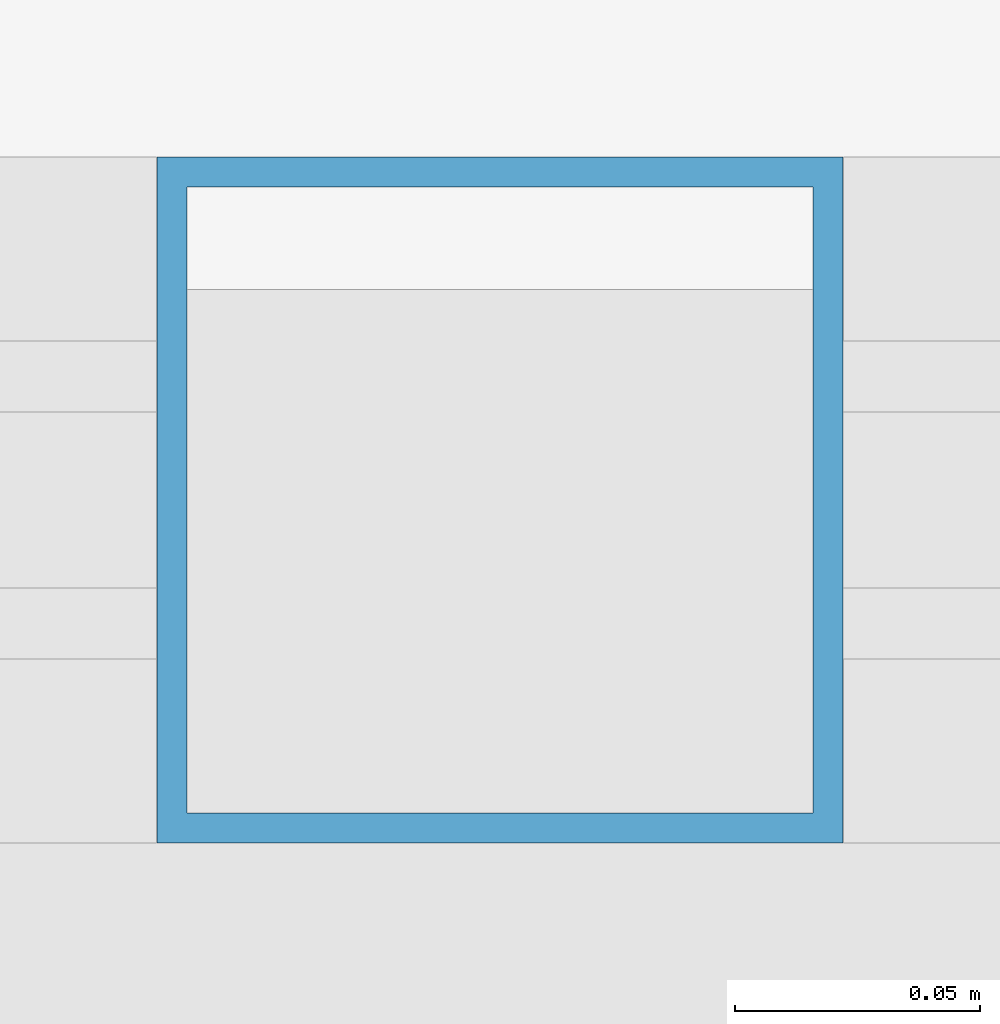
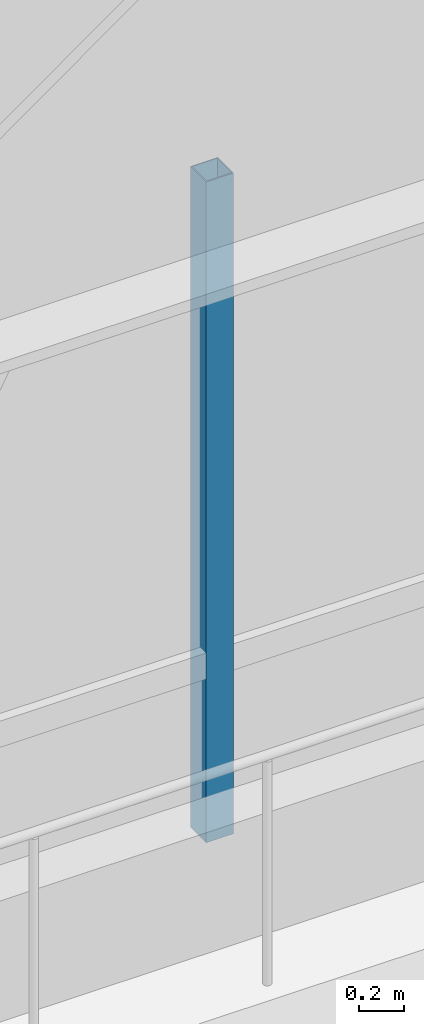
# One storey, part 6 of 28: 1 member, 1 element without a shape of its own.
"""IFC4 building model written with IfcOpenShell, lengths in metres."""

import ifcopenshell
import ifcopenshell.guid

model = None  # the IFC model being written
_history = None  # IfcOwnerHistory: only IFC2X3 demands one
_inside = {}  # id of a spatial element -> (the spatial element, [elements in it])
_under = {}  # id of a project, library or spatial element -> (it, [spatial elements below it])
_declared = {}  # id of a project -> (the project, [libraries it declares])
_typed = {}  # id of a type object -> (the type object, [elements of that type])
_made_of = {}  # id of a material, layer set ... -> (it, [elements and type objects made of it])


def new_model(schema):
    """Start an empty IFC model of exactly this schema.

    Asked for "IFC4X3", IfcOpenShell would pick the latest addendum, in which some entities
    have other attributes; the version numbers below select the first issue.
    IFC2X3 requires an IfcOwnerHistory on every rooted entity: one is made here for all.
    """
    global model, _history
    if schema == "IFC4X3":
        model = ifcopenshell.file(schema_version=(4, 3, 0, 0))
    else:
        model = ifcopenshell.file(schema=schema)
    _inside.clear()
    _under.clear()
    _declared.clear()
    _typed.clear()
    _made_of.clear()
    _history = None
    if model.schema == "IFC2X3":
        org = make("IfcOrganization", Name="unknown")
        user = make(
            "IfcPersonAndOrganization",
            ThePerson=make("IfcPerson", FamilyName="unknown"),
            TheOrganization=org,
        )
        app = make(
            "IfcApplication",
            ApplicationDeveloper=org,
            Version="unknown",
            ApplicationFullName="unknown",
            ApplicationIdentifier="unknown",
        )
        _history = make(
            "IfcOwnerHistory",
            OwningUser=user,
            OwningApplication=app,
            ChangeAction="ADDED",
            CreationDate=0,
        )
    return model


def make(cls, **values):
    """One entity of the class cls with the attributes given. An attribute that is None is left unset."""
    return model.create_entity(
        cls, **{name: value for name, value in values.items() if value is not None}
    )


def rooted(cls, **values):
    """An entity with a GlobalId (a new one), such as an element, a storey or a relation."""
    return make(cls, GlobalId=ifcopenshell.guid.new(), OwnerHistory=_history, **values)


def si_unit(unit_type, name, prefix=None):
    """IfcSIUnit, for example si_unit("LENGTHUNIT", "METRE", prefix="MILLI")."""
    return make("IfcSIUnit", UnitType=unit_type, Prefix=prefix, Name=name)


def assignment(units):
    """IfcUnitAssignment: the units of a project."""
    return None if units is None else make("IfcUnitAssignment", Units=units)


def point(xyz):
    """IfcCartesianPoint."""
    return None if xyz is None else make("IfcCartesianPoint", Coordinates=xyz)


def direction(xyz):
    """IfcDirection."""
    return None if xyz is None else make("IfcDirection", DirectionRatios=xyz)


def frame(location, z_axis=None, x_axis=None):
    """IfcAxis2Placement3D, a coordinate frame: its origin and axes. An axis left out is left unset."""
    return make(
        "IfcAxis2Placement3D",
        Location=point(location),
        Axis=direction(z_axis),
        RefDirection=direction(x_axis),
    )


def frame_2d(location, x_axis=None):
    """IfcAxis2Placement2D, a coordinate frame in the plane: its origin and x axis."""
    return make(
        "IfcAxis2Placement2D", Location=point(location), RefDirection=direction(x_axis)
    )


def origin():
    """The frame at (0, 0, 0) with its axes left unset."""
    return frame((0.0, 0.0, 0.0))


def origin_2d():
    """The frame at (0, 0) in the plane with its x axis left unset."""
    return frame_2d((0.0, 0.0))


def place(relative_to, where):
    """IfcLocalPlacement: puts the frame where relative to a parent placement (None: the world)."""
    return make(
        "IfcLocalPlacement", PlacementRelTo=relative_to, RelativePlacement=where
    )


def context(
    kind, dimensions, precision=None, world=None, true_north=None, identifier=None
):
    """IfcGeometricRepresentationContext, for example the 3D "Model" context."""
    return make(
        "IfcGeometricRepresentationContext",
        ContextIdentifier=identifier,
        ContextType=kind,
        CoordinateSpaceDimension=dimensions,
        Precision=precision,
        WorldCoordinateSystem=world,
        TrueNorth=true_north,
    )


def subcontext(parent, identifier, kind, view, scale=None):
    """IfcGeometricRepresentationSubContext, for example "Body" below "Model"."""
    return make(
        "IfcGeometricRepresentationSubContext",
        ContextIdentifier=identifier,
        ContextType=kind,
        ParentContext=parent,
        TargetScale=scale,
        TargetView=view,
    )


def project(units=None, contexts=None):
    """IfcProject with its units and contexts."""
    return rooted(
        "IfcProject",
        Name="project",
        RepresentationContexts=contexts,
        UnitsInContext=assignment(units),
    )


def spatial(cls, under=None, at=None, **own):
    """A site, building, storey or space (cls), placed at a placement, below another one or the project."""
    s = rooted(cls, ObjectPlacement=at, **own)
    if under is not None:
        _under.setdefault(under.id(), (under, []))[1].append(s)
    return s


def profile(cls, at=None, kind="AREA", **sizes):
    """A parametric profile (cls). Its sizes go by their IFC names, for example OverallWidth=200.0."""
    return make(cls, ProfileType=kind, Position=at, **sizes)


def hollow_rectangle(**sizes):
    """IfcRectangleHollowProfileDef."""
    return profile("IfcRectangleHollowProfileDef", **sizes)


def extrude(swept, where, along, depth):
    """IfcExtrudedAreaSolid: the profile swept, set in the frame where, extruded along a direction by depth."""
    return make(
        "IfcExtrudedAreaSolid",
        SweptArea=swept,
        Position=where,
        ExtrudedDirection=direction(along),
        Depth=depth,
    )


def shape(context_of_items, identifier, shape_type, items):
    """IfcShapeRepresentation: the items that make up one representation, for example the "Body"."""
    return make(
        "IfcShapeRepresentation",
        ContextOfItems=context_of_items,
        RepresentationIdentifier=identifier,
        RepresentationType=shape_type,
        Items=items,
    )


def source(mapping_origin, context_of_items, identifier, shape_type, items):
    """IfcRepresentationMap: a shape defined once, which mapped items show again and again."""
    return make(
        "IfcRepresentationMap",
        MappingOrigin=mapping_origin,
        MappedRepresentation=shape(context_of_items, identifier, shape_type, items),
    )


def transform(
    local_origin,
    x_axis=None,
    y_axis=None,
    z_axis=None,
    scale=None,
    scale2=None,
    scale3=None,
    uniform=True,
):
    """IfcCartesianTransformationOperator3D, or its non-uniform kind. x_axis, y_axis, z_axis: its Axis1, 2, 3."""
    if uniform:
        return make(
            "IfcCartesianTransformationOperator3D",
            Axis1=direction(x_axis),
            Axis2=direction(y_axis),
            LocalOrigin=point(local_origin),
            Scale=scale,
            Axis3=direction(z_axis),
        )
    return make(
        "IfcCartesianTransformationOperator3DnonUniform",
        Axis1=direction(x_axis),
        Axis2=direction(y_axis),
        LocalOrigin=point(local_origin),
        Scale=scale,
        Axis3=direction(z_axis),
        Scale2=scale2,
        Scale3=scale3,
    )


def mapped(mapping_source, mapping_target):
    """IfcMappedItem: shows the shape of a source again, moved by a transform."""
    return make(
        "IfcMappedItem", MappingSource=mapping_source, MappingTarget=mapping_target
    )


def material(Name=None, Category=None):
    """IfcMaterial."""
    return make("IfcMaterial", Name=Name, Category=Category)


def material_profile(
    of_material, cross_section, Name=None, Category=None, Priority=None
):
    """IfcMaterialProfile: a cross section and its material."""
    return make(
        "IfcMaterialProfile",
        Name=Name,
        Material=of_material,
        Profile=cross_section,
        Priority=Priority,
        Category=Category,
    )


def profile_set(profiles, Name=None, composite=None):
    """IfcMaterialProfileSet."""
    return make(
        "IfcMaterialProfileSet",
        Name=Name,
        MaterialProfiles=profiles,
        CompositeProfile=composite,
    )


def made_of(thing, what):
    """Note that an element or type object is made of a material, layer set ...; save() writes the relation."""
    if what is not None:
        _made_of.setdefault(what.id(), (what, []))[1].append(thing)
    return thing


def type_object(cls, material=None, **own):
    """A type object (cls), such as IfcWallType, which elements share."""
    return made_of(rooted(cls, **own), material)


def element(
    cls,
    number,
    at=None,
    inside=None,
    cuts=None,
    type_object=None,
    material=None,
    context=None,
    identifier="Body",
    shape_type=None,
    held_by="IfcProductDefinitionShape",
    body=None,
    shapes=None,
    **own,
):
    """One element of the class cls, such as IfcWall. Its Tag is "e" and its number.

    at: its placement. inside: the storey or other place that contains it. cuts: it is an
    opening in that element (IfcRelVoidsElement). A single representation is given by context,
    identifier, shape_type and body (its items); several are given by shapes. held_by: the class
    of the entity that holds the representations. save() writes the other relations.
    """
    e = rooted(cls, Tag="e%d" % number, ObjectPlacement=at, **own)
    if body is not None:
        shapes = [shape(context, identifier, shape_type, body)]
    if shapes is not None:
        e.Representation = make(held_by, Representations=shapes)
    if inside is not None:
        _inside.setdefault(inside.id(), (inside, []))[1].append(e)
    if cuts is not None:
        rooted(
            "IfcRelVoidsElement", RelatingBuildingElement=cuts, RelatedOpeningElement=e
        )
    if type_object is not None:
        _typed.setdefault(type_object.id(), (type_object, []))[1].append(e)
    return made_of(e, material)


def aggregate(whole, parts):
    """IfcRelAggregates: a whole, such as a stair, and the parts it consists of."""
    return rooted("IfcRelAggregates", RelatingObject=whole, RelatedObjects=parts)


def save(model, path):
    """Write the relations noted so far, then the file.

    IfcRelAggregates (storeys below a building ...), IfcRelContainedInSpatialStructure (elements
    in a storey), IfcRelDefinesByType, IfcRelAssociatesMaterial and IfcRelDeclares: one each for
    every whole, place, type object, material and project.
    """
    for whole, parts in _under.values():
        aggregate(whole, parts)
    for where, things in _inside.values():
        rooted(
            "IfcRelContainedInSpatialStructure",
            RelatedElements=things,
            RelatingStructure=where,
        )
    for kind, things in _typed.values():
        rooted("IfcRelDefinesByType", RelatedObjects=things, RelatingType=kind)
    for what, things in _made_of.values():
        rooted("IfcRelAssociatesMaterial", RelatedObjects=things, RelatingMaterial=what)
    for by, libraries in _declared.values():
        rooted("IfcRelDeclares", RelatingContext=by, RelatedDefinitions=libraries)
    model.write(path)


model = new_model("IFC4")

# Units and contexts
model_context = context("Model", 3, precision=1e-05, world=origin(), true_north=direction((0.0, 1.0)))
body_context = subcontext(model_context, "Body", "Model", "MODEL_VIEW")
ifc_project = project(units=[si_unit("LENGTHUNIT", "METRE"), si_unit("AREAUNIT", "SQUARE_METRE"), si_unit("VOLUMEUNIT", "CUBIC_METRE"), si_unit("PLANEANGLEUNIT", "RADIAN"), si_unit("MASSUNIT", "GRAM", prefix="KILO")], contexts=[model_context])

# Site, building, storey
site_placement = place(None, origin())
site = spatial("IfcSite", under=ifc_project, at=site_placement, CompositionType="ELEMENT")
building_placement = place(site_placement, origin())
building = spatial("IfcBuilding", under=site, at=building_placement, Name="Khorayat Bourse Tower", CompositionType="ELEMENT")
storey_placement = place(building_placement, frame((0.0, 0.0, 12.0)))
storey = spatial("IfcBuildingStorey", under=building, at=storey_placement, Name="L02", CompositionType="ELEMENT", Elevation=12.0)

# Curtain wall, member
ifc_material = material(Name="Aluminium EN AW-6063 T6", Category="aluminium")
curtain_wall_type = type_object("IfcCurtainWallType", Name="CW-SYS-01", PredefinedType="NOTDEFINED", material=ifc_material)
curtain_wall_placement = place(storey_placement, origin())
curtain_wall = element("IfcCurtainWall", 1, at=curtain_wall_placement, inside=storey, type_object=curtain_wall_type, Name="L02 Curtain Wall CW-L02-SE", PredefinedType="NOTDEFINED")
ifc_material_profile = material_profile(ifc_material, hollow_rectangle(XDim=0.139892578125, YDim=0.139892578125, WallThickness=0.006103515625, at=origin_2d()), Name="ALU 140x140x6")
ifc_profile_set = profile_set([ifc_material_profile], Name="Aluminium EN AW-6063 T6")
member_type = type_object("IfcMemberType", Name="CWM-VERT-140", PredefinedType="MULLION", material=ifc_profile_set)
shared_shape = source(origin(), body_context, "Body", "SweptSolid", [
    extrude(hollow_rectangle(XDim=0.139892578125, YDim=0.139892578125, WallThickness=0.006103515625, at=origin_2d()), origin(), (0.0, 0.0, 1.0), 3.550048828125),
])
member_placement = place(storey_placement, frame((3.933349609375, -35.742919921875, 0.0), z_axis=(0.0, 0.0, 1.0), x_axis=(0.0, 1.0, 0.0)))
member = element("IfcMember", 2, at=member_placement, type_object=member_type, Name="CW-L02-SE Vertical Mullion 2", PredefinedType="MULLION", context=body_context, shape_type="MappedRepresentation", body=[
    mapped(shared_shape, transform((0.0, 0.0, 0.0), scale=1.0)),
])
aggregate(curtain_wall, [member])

save(model, "model.ifc")
